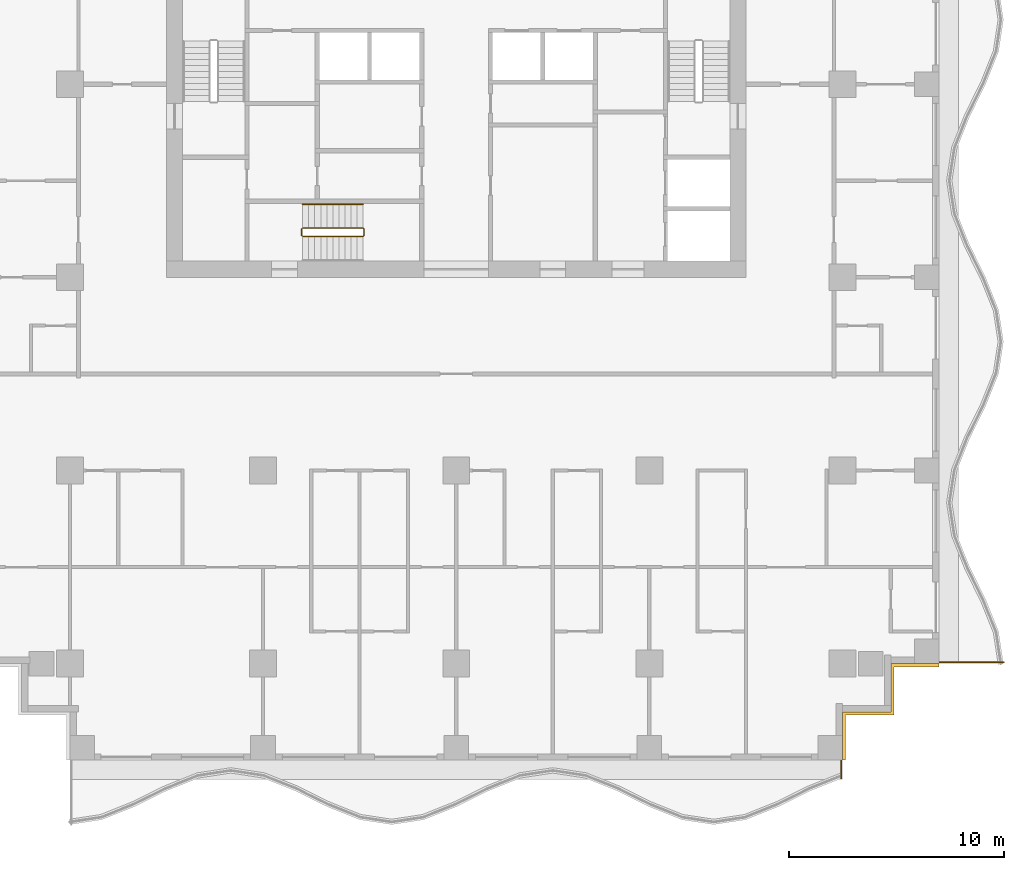
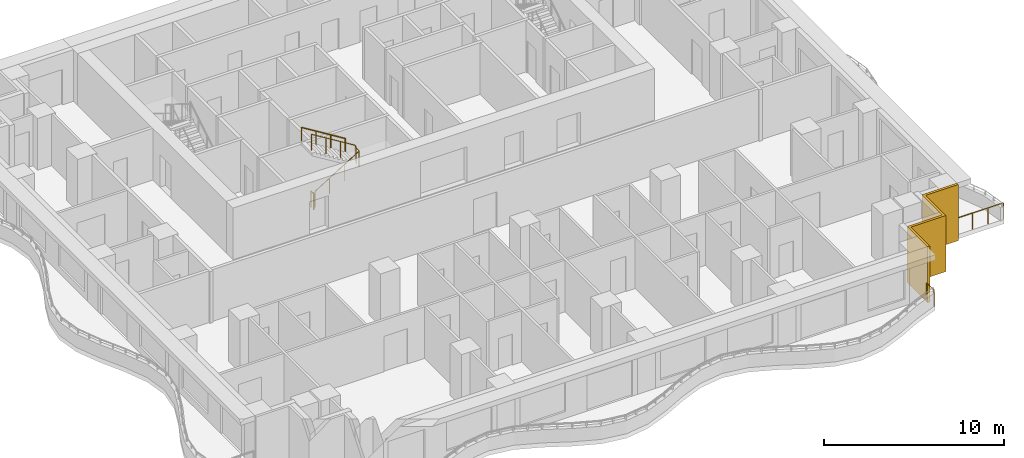
# One storey, part 8 of 10: 5 railings, 1 shading device.
"""IFC4 building model written with IfcOpenShell, lengths in metres."""

from ifc_helpers import new_model, si_unit, direction, frame, origin, origin_2d, place, context, subcontext, project, spatial, polyline, rectangle, circle, outline, extrude, material, layer, layer_set, type_object, element, save


model = new_model("IFC4")

# Units and contexts
model_context = context("Model", 3, precision=1e-05, world=origin(), true_north=direction((0.0, 1.0)))
body_context = subcontext(model_context, "Body", "Model", "MODEL_VIEW")
ifc_project = project(units=[si_unit("LENGTHUNIT", "METRE"), si_unit("AREAUNIT", "SQUARE_METRE"), si_unit("VOLUMEUNIT", "CUBIC_METRE"), si_unit("PLANEANGLEUNIT", "RADIAN"), si_unit("MASSUNIT", "GRAM", prefix="KILO")], contexts=[model_context])

# Site, building, storey
site_placement = place(None, origin())
site = spatial("IfcSite", under=ifc_project, at=site_placement, CompositionType="ELEMENT")
building_placement = place(site_placement, origin())
building = spatial("IfcBuilding", under=site, at=building_placement, Name="Orbiselva Terraces", CompositionType="ELEMENT")
storey_placement = place(building_placement, frame((0.0, 0.0, 151.6)))
storey = spatial("IfcBuildingStorey", under=building, at=storey_placement, Name="L38", CompositionType="ELEMENT", Elevation=151.6)

# Railings
ifc_material_1 = material(Name="Stainless steel", Category="steel")
railing_type_1 = type_object("IfcRailingType", Name="CORE-GUARD-1100", PredefinedType="GUARDRAIL", material=ifc_material_1)
railing_1_placement = place(storey_placement, frame((-7.15, 6.4, 0.172727)))
element("IfcRailing", 1, at=railing_1_placement, inside=storey, type_object=railing_type_1, Name="L38 S3 stair guard 1", PredefinedType="GUARDRAIL", context=body_context, shape_type="SweptSolid", body=[
    extrude(circle(Radius=0.024, at=origin_2d()), frame((0.0, 0.0, 1.081), z_axis=(0.851088519012, 0.0, 0.52502222125), x_axis=(0.0, 1.0, 0.0)), (0.0, 0.0, 1.0), 3.289905),
    extrude(circle(Radius=0.024, at=origin_2d()), frame((2.8, 0.0, 2.808273), z_axis=(0.707106781187, 0.707106781187, 0.0), x_axis=(-0.707106781187, 0.707106781187, 0.0)), (0.0, 0.0, 1.0), 0.070711),
    extrude(circle(Radius=0.024, at=origin_2d()), frame((2.85, 0.05, 2.808273), z_axis=(0.0, 1.0, 0.0), x_axis=(-1.0, 0.0, 0.0)), (0.0, 0.0, 1.0), 0.3),
    extrude(circle(Radius=0.024, at=origin_2d()), frame((2.85, 0.35, 2.808273), z_axis=(-0.267894925557, 0.267894925557, 0.925453736133), x_axis=(-0.707106781187, -0.707106781187, 0.0)), (0.0, 0.0, 1.0), 0.18664),
    extrude(circle(Radius=0.024, at=origin_2d()), frame((2.8, 0.4, 2.981), z_axis=(-0.851088519012, 0.0, 0.52502222125), x_axis=(0.0, -1.0, 0.0)), (0.0, 0.0, 1.0), 3.289905),
    extrude(circle(Radius=0.021, at=origin_2d()), origin(), (0.0, 0.0, 1.0), 1.057),
    extrude(circle(Radius=0.021, at=origin_2d()), frame((0.933333, 0.0, 0.575758)), (0.0, 0.0, 1.0), 1.057),
    extrude(circle(Radius=0.021, at=origin_2d()), frame((1.866667, 0.0, 1.151515)), (0.0, 0.0, 1.0), 1.057),
    extrude(circle(Radius=0.021, at=origin_2d()), frame((2.8, 0.0, 1.727273)), (0.0, 0.0, 1.0), 1.057),
    extrude(circle(Radius=0.021, at=origin_2d()), frame((2.85, 0.05, 1.727273)), (0.0, 0.0, 1.0), 1.057),
    extrude(circle(Radius=0.021, at=origin_2d()), frame((2.85, 0.35, 1.727273)), (0.0, 0.0, 1.0), 1.057),
    extrude(circle(Radius=0.021, at=origin_2d()), frame((2.8, 0.4, 1.9)), (0.0, 0.0, 1.0), 1.057),
    extrude(circle(Radius=0.021, at=origin_2d()), frame((1.866667, 0.4, 2.475758)), (0.0, 0.0, 1.0), 1.057),
    extrude(circle(Radius=0.021, at=origin_2d()), frame((0.933333, 0.4, 3.051515)), (0.0, 0.0, 1.0), 1.057),
    extrude(circle(Radius=0.021, at=origin_2d()), frame((0.0, 0.4, 3.627273)), (0.0, 0.0, 1.0), 1.057),
])
railing_2_placement = place(storey_placement, frame((-7.2, 6.45, 0.0)))
element("IfcRailing", 2, at=railing_2_placement, inside=storey, type_object=railing_type_1, Name="L38 S3 stair guard 2", PredefinedType="GUARDRAIL", context=body_context, shape_type="SweptSolid", body=[
    extrude(circle(Radius=0.024, at=origin_2d()), frame((0.0, 0.0, 1.081), z_axis=(0.0, 1.0, 0.0), x_axis=(-1.0, 0.0, 0.0)), (0.0, 0.0, 1.0), 0.3),
    extrude(circle(Radius=0.021, at=origin_2d()), origin(), (0.0, 0.0, 1.0), 1.057),
    extrude(circle(Radius=0.021, at=origin_2d()), frame((0.0, 0.3, 0.0)), (0.0, 0.0, 1.0), 1.057),
])
railing_type_2 = type_object("IfcRailingType", Name="CORE-HANDRAIL-900", PredefinedType="HANDRAIL", material=ifc_material_1)
railing_3_placement = place(storey_placement, frame((-4.35, 7.9, 2.072727)))
element("IfcRailing", 3, at=railing_3_placement, inside=storey, type_object=railing_type_2, Name="L38 S3 stair handrail 2", PredefinedType="HANDRAIL", context=body_context, shape_type="SweptSolid", body=[
    extrude(circle(Radius=0.024, at=origin_2d()), frame((0.0, 0.0, 0.876), z_axis=(-0.851088519012, 0.0, 0.52502222125), x_axis=(0.0, -1.0, 0.0)), (0.0, 0.0, 1.0), 3.289905),
    extrude(circle(Radius=0.021, at=origin_2d()), origin(), (0.0, 0.0, 1.0), 0.852),
    extrude(circle(Radius=0.021, at=origin_2d()), frame((-0.933333, 0.0, 0.575758)), (0.0, 0.0, 1.0), 0.852),
    extrude(circle(Radius=0.021, at=origin_2d()), frame((-1.866667, 0.0, 1.151515)), (0.0, 0.0, 1.0), 0.852),
    extrude(circle(Radius=0.021, at=origin_2d()), frame((-2.8, 0.0, 1.727273)), (0.0, 0.0, 1.0), 0.852),
])
ifc_material_2 = material(Name="Stainless steel rail and posts", Category="steel")
railing_type_3 = type_object("IfcRailingType", Name="ENV-GUARD-1105", PredefinedType="BALUSTRADE", material=ifc_material_2)
railing_4_placement = place(storey_placement, frame((17.94, -18.847212, 0.0)))
element("IfcRailing", 4, at=railing_4_placement, inside=storey, type_object=railing_type_3, Name="Balcony end guard L38 S", PredefinedType="BALUSTRADE", context=body_context, shape_type="SweptSolid", body=[
    extrude(outline(polyline([(0.028868, 0.0), (0.014434, 0.025), (-0.014434, 0.025), (-0.028868, 0.0), (-0.014434, -0.025), (0.014434, -0.025), (0.028868, 0.0)])), frame((0.0, 0.0, 1.08), z_axis=(0.0, 1.0, 0.0), x_axis=(-1.0, 0.0, 0.0)), (0.0, 0.0, 1.0), 0.822212),
    extrude(rectangle(XDim=0.05, YDim=0.05, at=origin_2d()), origin(), (0.0, 0.0, 1.0), 1.055),
    extrude(rectangle(XDim=0.05, YDim=0.05, at=origin_2d()), frame((0.0, 0.822212, 0.0)), (0.0, 0.0, 1.0), 1.055),
])
railing_5_placement = place(storey_placement, frame((25.499621, -13.44, 0.0)))
element("IfcRailing", 5, at=railing_5_placement, inside=storey, type_object=railing_type_3, Name="Balcony end guard L38 E", PredefinedType="BALUSTRADE", context=body_context, shape_type="SweptSolid", body=[
    extrude(outline(polyline([(0.028868, 0.0), (0.014434, 0.025), (-0.014434, 0.025), (-0.028868, 0.0), (-0.014434, -0.025), (0.014434, -0.025), (0.028868, 0.0)])), frame((0.0, 0.0, 1.08), z_axis=(-1.0, 0.0, 0.0), x_axis=(0.0, -1.0, 0.0)), (0.0, 0.0, 1.0), 2.974621),
    extrude(rectangle(XDim=0.05, YDim=0.05, at=origin_2d()), origin(), (0.0, 0.0, 1.0), 1.055),
    extrude(rectangle(XDim=0.05, YDim=0.05, at=origin_2d()), frame((-0.99154, 0.0, 0.0)), (0.0, 0.0, 1.0), 1.055),
    extrude(rectangle(XDim=0.05, YDim=0.05, at=origin_2d()), frame((-1.983081, 0.0, 0.0)), (0.0, 0.0, 1.0), 1.055),
    extrude(rectangle(XDim=0.05, YDim=0.05, at=origin_2d()), frame((-2.974621, 0.0, 0.0)), (0.0, 0.0, 1.0), 1.055),
])

# Shading device
ifc_material_3 = material(Name="Terracotta louvre screen", Category="masonry")
ifc_layer = layer(ifc_material_3, 0.15)
ifc_layer_set = layer_set([ifc_layer], Name="Terracotta louvre screen")
shading_device_type = type_object("IfcShadingDeviceType", Name="ENV-SCREEN-150", PredefinedType="USERDEFINED", material=ifc_layer_set)
shading_device_placement = place(storey_placement, frame((0.0, 0.0, -0.3)))
element("IfcShadingDevice", 6, at=shading_device_placement, inside=storey, type_object=shading_device_type, Name="Louvre screen L38 SE", ObjectType="SCREEN", PredefinedType="USERDEFINED", context=body_context, shape_type="SweptSolid", body=[
    extrude(outline(polyline([(18.15, -18.0), (18.15, -15.9), (20.4, -15.9), (20.4, -13.65), (22.5, -13.65), (22.5, -13.5), (20.25, -13.5), (20.25, -15.75), (18.0, -15.75), (18.0, -18.0), (18.15, -18.0)])), origin(), (0.0, 0.0, 1.0), 3.8),
])

save(model, "model.ifc")
